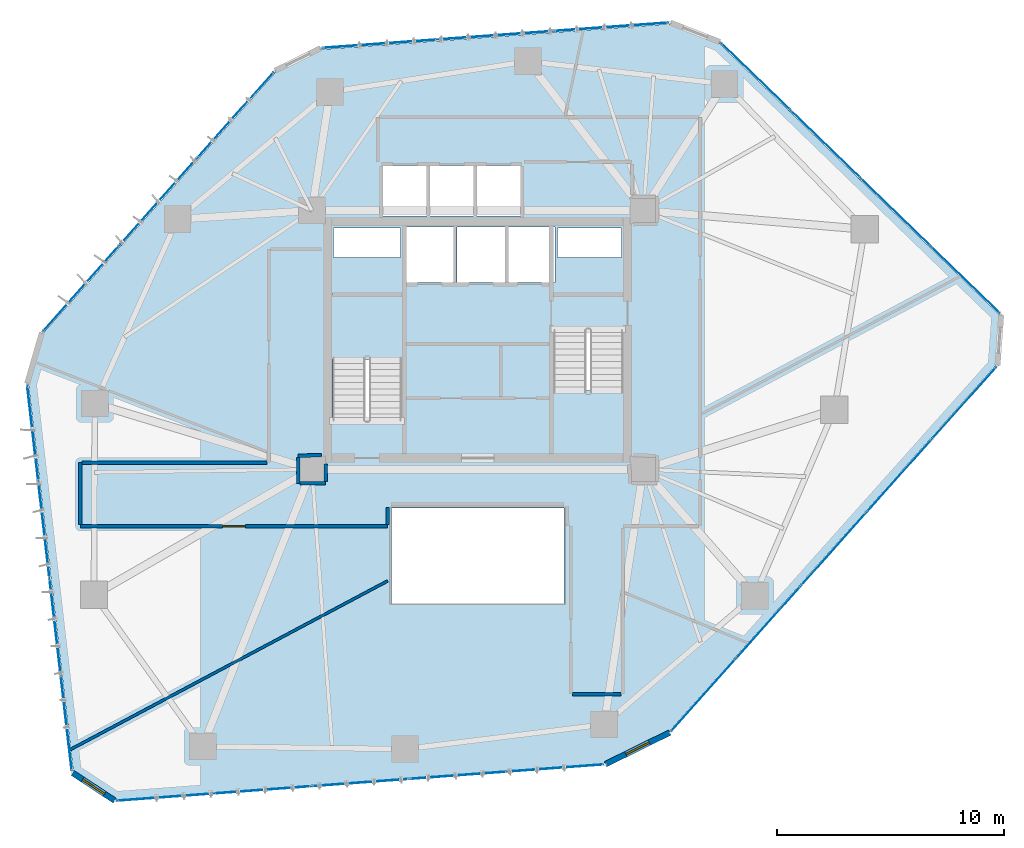
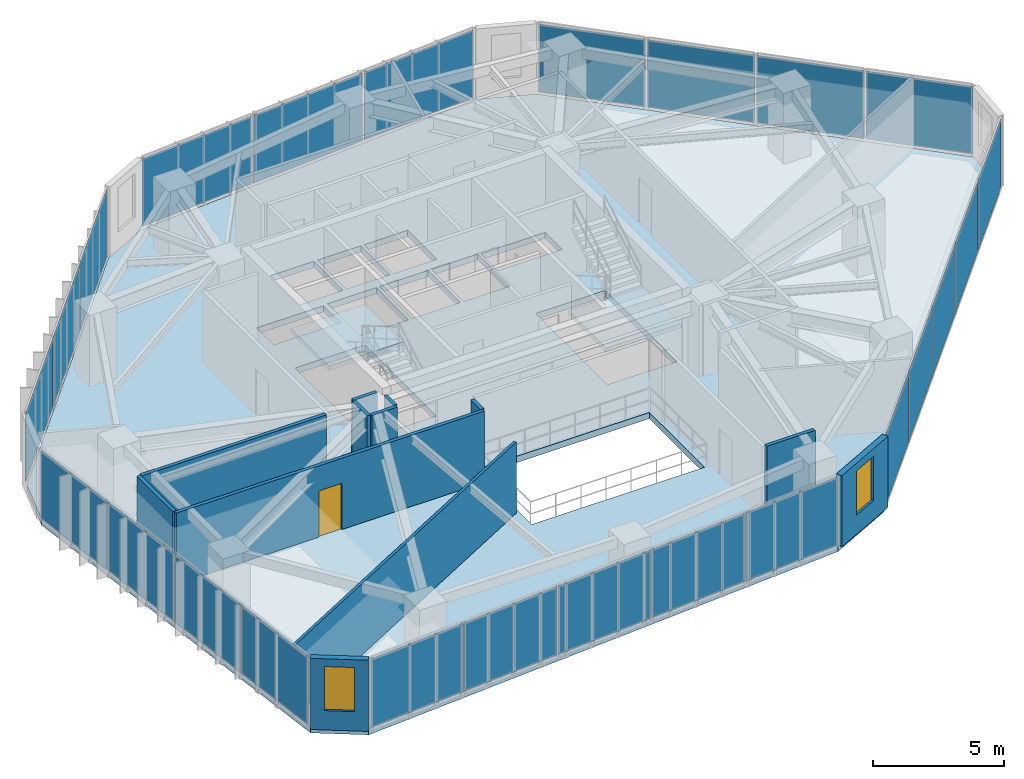
# One storey, part 17 of 23: 24 plates, 12 walls, 3 slabs, 2 windows, 1 door, 3 openings, 8 elements without a shape of their own.
"""IFC4 building model written with IfcOpenShell, lengths in metres."""

from ifc_helpers import new_model, si_unit, direction, frame, frame_2d, origin, origin_2d, place, context, subcontext, project, spatial, polyline, rectangle, outline, extrude, source, transform, mapped, material, layer, layer_set, type_object, type_shapes, element, fill, aggregate, save


model = new_model("IFC4")

# Units and contexts
model_context = context("Model", 3, precision=1e-05, world=origin(), true_north=direction((0.0, 1.0)))
body_context = subcontext(model_context, "Body", "Model", "MODEL_VIEW")
ifc_project = project(units=[si_unit("LENGTHUNIT", "METRE"), si_unit("AREAUNIT", "SQUARE_METRE"), si_unit("VOLUMEUNIT", "CUBIC_METRE"), si_unit("PLANEANGLEUNIT", "RADIAN"), si_unit("MASSUNIT", "GRAM", prefix="KILO")], contexts=[model_context])

# Site, building, storey
site_placement = place(None, origin())
site = spatial("IfcSite", under=ifc_project, at=site_placement, CompositionType="ELEMENT")
building_placement = place(site_placement, origin())
building = spatial("IfcBuilding", under=site, at=building_placement, Name="Talar Marvaseh", CompositionType="ELEMENT")
storey_placement = place(building_placement, frame((0.0, 0.0, 103.800048828125)))
storey = spatial("IfcBuildingStorey", under=building, at=storey_placement, Name="L26", CompositionType="ELEMENT", Elevation=103.800048828125)

# Stair, slab
ifc_material_1 = material(Name="Concrete C40/50", Category="concrete")
stair_type = type_object("IfcStairType", Name="Reinforced Concrete Half-Turn Exit Stair Type B", PredefinedType="HALF_TURN_STAIR", material=ifc_material_1)
stair_1_placement = place(storey_placement, origin())
stair_1 = element("IfcStair", 1, at=stair_1_placement, inside=storey, type_object=stair_type, Name="L26 Tower West Core Exit Stair", PredefinedType="HALF_TURN_STAIR")
ifc_layer_1 = layer(ifc_material_1, 0.199951171875)
ifc_layer_set_1 = layer_set([ifc_layer_1], Name="Concrete C40/50")
slab_type_1 = type_object("IfcSlabType", Name="Reinforced Concrete Stair Half-Landing Slab 200", PredefinedType="LANDING", material=ifc_layer_set_1)
slab_1_placement = place(storey_placement, frame((0.0, 0.0, 1.599853515625)))
slab_1 = element("IfcSlab", 2, at=slab_1_placement, type_object=slab_type_1, Name="ST-1 landing 1", PredefinedType="LANDING", context=body_context, shape_type="SweptSolid", body=[
    extrude(outline(polyline([(22.780029296875, 30.330078125), (22.780029296875, 33.219970703125), (19.47998046875, 33.219970703125), (19.47998046875, 30.330078125), (22.780029296875, 30.330078125)])), origin(), (0.0, 0.0, 1.0), 0.2001953125),
])
aggregate(stair_1, [slab_1])

stair_2_placement = place(storey_placement, origin())
stair_2 = element("IfcStair", 3, at=stair_2_placement, inside=storey, type_object=stair_type, Name="L26 Tower East Core Exit Stair", PredefinedType="HALF_TURN_STAIR")
slab_2_placement = place(storey_placement, frame((0.0, 0.0, 1.599853515625)))
slab_2 = element("IfcSlab", 4, at=slab_2_placement, type_object=slab_type_1, Name="ST-2 landing 1", PredefinedType="LANDING", context=body_context, shape_type="SweptSolid", body=[
    extrude(outline(polyline([(29.219970703125, 28.969970703125), (29.219970703125, 26.080078125), (32.52001953125, 26.080078125), (32.52001953125, 28.969970703125), (29.219970703125, 28.969970703125)])), origin(), (0.0, 0.0, 1.0), 0.2001953125),
])
aggregate(stair_2, [slab_2])

# Slab
ifc_layer_2 = layer(ifc_material_1, 0.2900390625)
ifc_layer_set_2 = layer_set([ifc_layer_2], Name="Concrete C40/50")
slab_type_2 = type_object("IfcSlabType", Name="Structural Suspended Floor Slab 290", PredefinedType="FLOOR", material=ifc_layer_set_2)
slab_3_placement = place(storey_placement, frame((0.0, 0.0, -0.2900390625)))
element("IfcSlab", 5, at=slab_3_placement, inside=storey, type_object=slab_type_2, Name="L26 Tower Floor Slab", PredefinedType="FLOOR", context=body_context, shape_type="SweptSolid", body=[
    extrude(outline(polyline([(10.04638671875, 10.962890625), (8.1943359375, 12.1806640625), (6.219482421875, 29.258544921875), (6.86962890625, 31.507080078125), (17.10400390625, 43.001220703125), (19.11767578125, 43.994140625), (34.466796875, 45.11669921875), (36.646484375, 44.263427734375), (48.992919921875, 32.30029296875), (48.83154296875, 30.089599609375), (34.434326171875, 13.9638671875), (31.6044921875, 12.568359375), (10.04638671875, 10.962890625)]), holes=[polyline([(22.659912109375, 27.64990234375), (22.659912109375, 33.10009765625), (19.60009765625, 33.10009765625), (19.60009765625, 27.64990234375), (22.659912109375, 27.64990234375)]), polyline([(29.340087890625, 31.64990234375), (29.340087890625, 26.199951171875), (32.39990234375, 26.199951171875), (32.39990234375, 31.64990234375), (29.340087890625, 31.64990234375)]), polyline([(22.800048828125, 33.719970703125), (24.93994140625, 33.719970703125), (24.93994140625, 36.179931640625), (22.800048828125, 36.179931640625), (22.800048828125, 33.719970703125)]), polyline([(25.080078125, 33.719970703125), (27.219970703125, 33.719970703125), (27.219970703125, 36.179931640625), (25.080078125, 36.179931640625), (25.080078125, 33.719970703125)]), polyline([(27.360107421875, 33.719970703125), (29.39990234375, 33.719970703125), (29.39990234375, 36.179931640625), (27.360107421875, 36.179931640625), (27.360107421875, 33.719970703125)]), polyline([(21.840087890625, 36.659912109375), (23.760009765625, 36.659912109375), (23.760009765625, 38.8798828125), (21.840087890625, 38.8798828125), (21.840087890625, 36.659912109375)]), polyline([(23.89990234375, 36.659912109375), (25.820068359375, 36.659912109375), (25.820068359375, 38.8798828125), (23.89990234375, 38.8798828125), (23.89990234375, 36.659912109375)]), polyline([(25.9599609375, 36.659912109375), (27.8798828125, 36.659912109375), (27.8798828125, 38.8798828125), (25.9599609375, 38.8798828125), (25.9599609375, 36.659912109375)]), polyline([(19.659912109375, 34.840087890625), (22.60009765625, 34.840087890625), (22.60009765625, 36.139892578125), (19.659912109375, 36.139892578125), (19.659912109375, 34.840087890625)]), polyline([(29.52001953125, 34.840087890625), (32.340087890625, 34.840087890625), (32.340087890625, 36.139892578125), (29.52001953125, 36.139892578125), (29.52001953125, 34.840087890625)]), polyline([(22.199951171875, 19.60009765625), (29.800048828125, 19.60009765625), (29.800048828125, 23.800048828125), (22.199951171875, 23.800048828125), (22.199951171875, 19.60009765625)])]), origin(), (0.0, 0.0, 1.0), 0.2900390625),
])

# Curtain wall, plates
ifc_material_2 = material(Name="Architectural Aluminium", Category="aluminium")
ifc_layer_3 = layer(ifc_material_2, 0.199951171875)
ifc_layer_set_3 = layer_set([ifc_layer_3], Name="Architectural Aluminium")
curtain_wall_type = type_object("IfcCurtainWallType", Name="Unitised Acoustic Library Curtain Wall Z2", PredefinedType="NOTDEFINED", material=ifc_layer_set_3)
curtain_wall_1_placement = place(storey_placement, origin())
curtain_wall_1 = element("IfcCurtainWall", 6, at=curtain_wall_1_placement, inside=storey, type_object=curtain_wall_type, Name="L26 Unitised Acoustic Library Curtain Wall Z2", PredefinedType="NOTDEFINED")
ifc_material_3 = material(Name="Laminated Low-E Solar Glass", Category="glass")
ifc_layer_4 = layer(ifc_material_3, 0.028076171875)
ifc_layer_set_4 = layer_set([ifc_layer_4], Name="Laminated Low-E Solar Glass")
plate_type = type_object("IfcPlateType", Name="Double-Glazed Low-E Vision Curtain Panel 28", PredefinedType="CURTAIN_PANEL", material=ifc_layer_set_4)
shared_shape_1 = source(origin(), body_context, "Body", "SweptSolid", [
    extrude(rectangle(XDim=4.185302734375, YDim=0.028076171875, at=origin_2d()), origin(), (0.0, 0.0, 1.0), 3.159912109375),
])
plate_1_placement = place(storey_placement, frame((7.8857421875, 14.3271484375, 0.0751953125), z_axis=(0.0, 0.0, 1.0), x_axis=(-0.114870057226, 0.99338052626, 0.0)))
plate_1 = element("IfcPlate", 7, at=plate_1_placement, type_object=plate_type, Name="CW-Z2 panel 1.1", PredefinedType="CURTAIN_PANEL", context=body_context, shape_type="MappedRepresentation", body=[
    mapped(shared_shape_1, transform((0.0, 0.0, 0.0), x_axis=(1.0, 0.0, 0.0), y_axis=(0.0, 1.0, 0.0), z_axis=(0.0, 0.0, 1.0), scale=1.0)),
])
plate_2_placement = place(storey_placement, frame((6.408935546875, 27.09814453125, 0.0751953125), z_axis=(0.0, 0.0, 1.0), x_axis=(-0.114870057226, 0.99338052626, 0.0)))
plate_2 = element("IfcPlate", 8, at=plate_2_placement, type_object=plate_type, Name="CW-Z2 panel 4.1", PredefinedType="CURTAIN_PANEL", context=body_context, shape_type="MappedRepresentation", body=[
    mapped(shared_shape_1, transform((0.0, 0.0, 0.0), x_axis=(1.0, 0.0, 0.0), y_axis=(0.0, 1.0, 0.0), z_axis=(0.0, 0.0, 1.0), scale=1.0)),
])

curtain_wall_2_placement = place(storey_placement, origin())
curtain_wall_2 = element("IfcCurtainWall", 9, at=curtain_wall_2_placement, inside=storey, type_object=curtain_wall_type, Name="L26 Unitised Acoustic Library Curtain Wall Z2", PredefinedType="NOTDEFINED")
plate_3_placement = place(storey_placement, frame((38.2451171875, 42.798095703125, 0.0751953125), z_axis=(0.0, 0.0, 1.0), x_axis=(0.718169635243, -0.695868072996, 0.0)))
plate_3 = element("IfcPlate", 10, at=plate_3_placement, type_object=plate_type, Name="CW-Z2 panel 1.1", PredefinedType="CURTAIN_PANEL", context=body_context, shape_type="MappedRepresentation", body=[
    mapped(shared_shape_1, transform((0.0, 0.0, 0.0), x_axis=(1.0, 0.0, 0.0), y_axis=(0.0, 1.0, 0.0), z_axis=(0.0, 0.0, 1.0), scale=1.0)),
])
plate_4_placement = place(storey_placement, frame((47.47802734375, 33.851806640625, 0.0751953125), z_axis=(0.0, 0.0, 1.0), x_axis=(0.718169635243, -0.695868072996, 0.0)))
plate_4 = element("IfcPlate", 11, at=plate_4_placement, type_object=plate_type, Name="CW-Z2 panel 4.1", PredefinedType="CURTAIN_PANEL", context=body_context, shape_type="MappedRepresentation", body=[
    mapped(shared_shape_1, transform((0.0, 0.0, 0.0), x_axis=(1.0, 0.0, 0.0), y_axis=(0.0, 1.0, 0.0), z_axis=(0.0, 0.0, 1.0), scale=1.0)),
])

# Plate
shared_shape_2 = source(origin(), body_context, "Body", "SweptSolid", [
    extrude(rectangle(XDim=4.222900390625, YDim=0.028076171875, at=origin_2d()), origin(), (0.0, 0.0, 1.0), 3.159912109375),
])
plate_5_placement = place(storey_placement, frame((7.394287109375, 18.577880859375, 0.0751953125), z_axis=(0.0, 0.0, 1.0), x_axis=(-0.114870057226, 0.99338052626, 0.0)))
plate_5 = element("IfcPlate", 12, at=plate_5_placement, type_object=plate_type, Name="CW-Z2 panel 2.1", PredefinedType="CURTAIN_PANEL", context=body_context, shape_type="MappedRepresentation", body=[
    mapped(shared_shape_2, transform((0.0, 0.0, 0.0), x_axis=(1.0, 0.0, 0.0), y_axis=(0.0, 1.0, 0.0), z_axis=(0.0, 0.0, 1.0), scale=1.0)),
])

plate_6_placement = place(storey_placement, frame((6.900634765625, 22.847412109375, 0.0751953125), z_axis=(0.0, 0.0, 1.0), x_axis=(-0.114870057226, 0.99338052626, 0.0)))
plate_6 = element("IfcPlate", 13, at=plate_6_placement, type_object=plate_type, Name="CW-Z2 panel 3.1", PredefinedType="CURTAIN_PANEL", context=body_context, shape_type="MappedRepresentation", body=[
    mapped(shared_shape_2, transform((0.0, 0.0, 0.0), x_axis=(1.0, 0.0, 0.0), y_axis=(0.0, 1.0, 0.0), z_axis=(0.0, 0.0, 1.0), scale=1.0)),
])

aggregate(curtain_wall_1, [plate_1, plate_5, plate_6, plate_2])

plate_7_placement = place(storey_placement, frame((41.318359375, 39.8203125, 0.0751953125), z_axis=(0.0, 0.0, 1.0), x_axis=(0.718169635243, -0.695868072996, 0.0)))
plate_7 = element("IfcPlate", 14, at=plate_7_placement, type_object=plate_type, Name="CW-Z2 panel 2.1", PredefinedType="CURTAIN_PANEL", context=body_context, shape_type="MappedRepresentation", body=[
    mapped(shared_shape_2, transform((0.0, 0.0, 0.0), x_axis=(1.0, 0.0, 0.0), y_axis=(0.0, 1.0, 0.0), z_axis=(0.0, 0.0, 1.0), scale=1.0)),
])

plate_8_placement = place(storey_placement, frame((44.40478515625, 36.82958984375, 0.0751953125), z_axis=(0.0, 0.0, 1.0), x_axis=(0.718169635243, -0.695868072996, 0.0)))
plate_8 = element("IfcPlate", 15, at=plate_8_placement, type_object=plate_type, Name="CW-Z2 panel 3.1", PredefinedType="CURTAIN_PANEL", context=body_context, shape_type="MappedRepresentation", body=[
    mapped(shared_shape_2, transform((0.0, 0.0, 0.0), x_axis=(1.0, 0.0, 0.0), y_axis=(0.0, 1.0, 0.0), z_axis=(0.0, 0.0, 1.0), scale=1.0)),
])

aggregate(curtain_wall_2, [plate_3, plate_7, plate_8, plate_4])

# Curtain wall, plates
curtain_wall_3_placement = place(storey_placement, origin())
curtain_wall_3 = element("IfcCurtainWall", 16, at=curtain_wall_3_placement, inside=storey, type_object=curtain_wall_type, Name="L26 Unitised Acoustic Library Curtain Wall Z2", PredefinedType="NOTDEFINED")
shared_shape_3 = source(origin(), body_context, "Body", "SweptSolid", [
    extrude(rectangle(XDim=5.017578125, YDim=0.028076171875, at=origin_2d()), origin(), (0.0, 0.0, 1.0), 3.159912109375),
])
plate_9_placement = place(storey_placement, frame((8.54296875, 33.476806640625, 0.0751953125), z_axis=(0.0, 0.0, 1.0), x_axis=(0.664999206745, 0.746844063395, 0.0)))
plate_9 = element("IfcPlate", 17, at=plate_9_placement, type_object=plate_type, Name="CW-Z2 panel 1.1", PredefinedType="CURTAIN_PANEL", context=body_context, shape_type="MappedRepresentation", body=[
    mapped(shared_shape_3, transform((0.0, 0.0, 0.0), x_axis=(1.0, 0.0, 0.0), y_axis=(0.0, 1.0, 0.0), z_axis=(0.0, 0.0, 1.0), scale=1.0)),
])
plate_10_placement = place(storey_placement, frame((15.341064453125, 41.111328125, 0.0751953125), z_axis=(0.0, 0.0, 1.0), x_axis=(0.664999206745, 0.746844063395, 0.0)))
plate_10 = element("IfcPlate", 18, at=plate_10_placement, type_object=plate_type, Name="CW-Z2 panel 3.1", PredefinedType="CURTAIN_PANEL", context=body_context, shape_type="MappedRepresentation", body=[
    mapped(shared_shape_3, transform((0.0, 0.0, 0.0), x_axis=(1.0, 0.0, 0.0), y_axis=(0.0, 1.0, 0.0), z_axis=(0.0, 0.0, 1.0), scale=1.0)),
])

curtain_wall_4_placement = place(storey_placement, origin())
curtain_wall_4 = element("IfcCurtainWall", 19, at=curtain_wall_4_placement, inside=storey, type_object=curtain_wall_type, Name="L26 Unitised Acoustic Library Curtain Wall Z2", PredefinedType="NOTDEFINED")
plate_11_placement = place(storey_placement, frame((21.690185546875, 44.242431640625, 0.0751953125), z_axis=(0.0, 0.0, 1.0), x_axis=(0.997337055981, 0.072930081355, 0.0)))
plate_11 = element("IfcPlate", 20, at=plate_11_placement, type_object=plate_type, Name="CW-Z2 panel 1.1", PredefinedType="CURTAIN_PANEL", context=body_context, shape_type="MappedRepresentation", body=[
    mapped(shared_shape_3, transform((0.0, 0.0, 0.0), x_axis=(1.0, 0.0, 0.0), y_axis=(0.0, 1.0, 0.0), z_axis=(0.0, 0.0, 1.0), scale=1.0)),
])
plate_12_placement = place(storey_placement, frame((31.885498046875, 44.988037109375, 0.0751953125), z_axis=(0.0, 0.0, 1.0), x_axis=(0.997337055981, 0.072930081355, 0.0)))
plate_12 = element("IfcPlate", 21, at=plate_12_placement, type_object=plate_type, Name="CW-Z2 panel 3.1", PredefinedType="CURTAIN_PANEL", context=body_context, shape_type="MappedRepresentation", body=[
    mapped(shared_shape_3, transform((0.0, 0.0, 0.0), x_axis=(1.0, 0.0, 0.0), y_axis=(0.0, 1.0, 0.0), z_axis=(0.0, 0.0, 1.0), scale=1.0)),
])

# Plate
shared_shape_4 = source(origin(), body_context, "Body", "SweptSolid", [
    extrude(rectangle(XDim=5.054931640625, YDim=0.028076171875, at=origin_2d()), origin(), (0.0, 0.0, 1.0), 3.159912109375),
])
plate_13_placement = place(storey_placement, frame((11.94189453125, 37.294189453125, 0.0751953125), z_axis=(0.0, 0.0, 1.0), x_axis=(0.664999206745, 0.746844063395, 0.0)))
plate_13 = element("IfcPlate", 22, at=plate_13_placement, type_object=plate_type, Name="CW-Z2 panel 2.1", PredefinedType="CURTAIN_PANEL", context=body_context, shape_type="MappedRepresentation", body=[
    mapped(shared_shape_4, transform((0.0, 0.0, 0.0), x_axis=(1.0, 0.0, 0.0), y_axis=(0.0, 1.0, 0.0), z_axis=(0.0, 0.0, 1.0), scale=1.0)),
])

aggregate(curtain_wall_3, [plate_9, plate_13, plate_10])

plate_14_placement = place(storey_placement, frame((26.787841796875, 44.615234375, 0.0751953125), z_axis=(0.0, 0.0, 1.0), x_axis=(0.997337055981, 0.072930081355, 0.0)))
plate_14 = element("IfcPlate", 23, at=plate_14_placement, type_object=plate_type, Name="CW-Z2 panel 2.1", PredefinedType="CURTAIN_PANEL", context=body_context, shape_type="MappedRepresentation", body=[
    mapped(shared_shape_4, transform((0.0, 0.0, 0.0), x_axis=(1.0, 0.0, 0.0), y_axis=(0.0, 1.0, 0.0), z_axis=(0.0, 0.0, 1.0), scale=1.0)),
])

aggregate(curtain_wall_4, [plate_11, plate_14, plate_12])

# Curtain wall, plates
curtain_wall_5_placement = place(storey_placement, origin())
curtain_wall_5 = element("IfcCurtainWall", 24, at=curtain_wall_5_placement, inside=storey, type_object=curtain_wall_type, Name="L26 Unitised Acoustic Library Curtain Wall Z2", PredefinedType="NOTDEFINED")
shared_shape_5 = source(origin(), body_context, "Body", "SweptSolid", [
    extrude(rectangle(XDim=4.2109375, YDim=0.028076171875, at=origin_2d()), origin(), (0.0, 0.0, 1.0), 3.159912109375),
])
plate_15_placement = place(storey_placement, frame((47.424072265625, 28.423095703125, 0.0751953125), z_axis=(0.0, 0.0, 1.0), x_axis=(-0.665999130489, -0.745952517382, 0.0)))
plate_15 = element("IfcPlate", 25, at=plate_15_placement, type_object=plate_type, Name="CW-Z2 panel 1.1", PredefinedType="CURTAIN_PANEL", context=body_context, shape_type="MappedRepresentation", body=[
    mapped(shared_shape_5, transform((0.0, 0.0, 0.0), x_axis=(1.0, 0.0, 0.0), y_axis=(0.0, 1.0, 0.0), z_axis=(0.0, 0.0, 1.0), scale=1.0)),
])
plate_16_placement = place(storey_placement, frame((35.931396484375, 15.550537109375, 0.0751953125), z_axis=(0.0, 0.0, 1.0), x_axis=(-0.665999130489, -0.745952517382, 0.0)))
plate_16 = element("IfcPlate", 26, at=plate_16_placement, type_object=plate_type, Name="CW-Z2 panel 5.1", PredefinedType="CURTAIN_PANEL", context=body_context, shape_type="MappedRepresentation", body=[
    mapped(shared_shape_5, transform((0.0, 0.0, 0.0), x_axis=(1.0, 0.0, 0.0), y_axis=(0.0, 1.0, 0.0), z_axis=(0.0, 0.0, 1.0), scale=1.0)),
])

curtain_wall_6_placement = place(storey_placement, origin())
curtain_wall_6 = element("IfcCurtainWall", 27, at=curtain_wall_6_placement, inside=storey, type_object=curtain_wall_type, Name="L26 Unitised Acoustic Library Curtain Wall Z2", PredefinedType="NOTDEFINED")
plate_17_placement = place(storey_placement, frame((29.4345703125, 12.3466796875, 0.0751953125), z_axis=(0.0, 0.0, 1.0), x_axis=(-0.997238672999, -0.07426324175, 0.0)))
plate_17 = element("IfcPlate", 28, at=plate_17_placement, type_object=plate_type, Name="CW-Z2 panel 1.1", PredefinedType="CURTAIN_PANEL", context=body_context, shape_type="MappedRepresentation", body=[
    mapped(shared_shape_5, transform((0.0, 0.0, 0.0), x_axis=(1.0, 0.0, 0.0), y_axis=(0.0, 1.0, 0.0), z_axis=(0.0, 0.0, 1.0), scale=1.0)),
])
plate_18_placement = place(storey_placement, frame((12.2255859375, 11.065185546875, 0.0751953125), z_axis=(0.0, 0.0, 1.0), x_axis=(-0.997238672999, -0.07426324175, 0.0)))
plate_18 = element("IfcPlate", 29, at=plate_18_placement, type_object=plate_type, Name="CW-Z2 panel 5.1", PredefinedType="CURTAIN_PANEL", context=body_context, shape_type="MappedRepresentation", body=[
    mapped(shared_shape_5, transform((0.0, 0.0, 0.0), x_axis=(1.0, 0.0, 0.0), y_axis=(0.0, 1.0, 0.0), z_axis=(0.0, 0.0, 1.0), scale=1.0)),
])

# Plate
shared_shape_6 = source(origin(), body_context, "Body", "SweptSolid", [
    extrude(rectangle(XDim=4.24853515625, YDim=0.028076171875, at=origin_2d()), origin(), (0.0, 0.0, 1.0), 3.159912109375),
])
type_shapes(plate_type, [shared_shape_1, shared_shape_2, shared_shape_3, shared_shape_4, shared_shape_5, shared_shape_6])
plate_19_placement = place(storey_placement, frame((44.55712890625, 25.2119140625, 0.0751953125), z_axis=(0.0, 0.0, 1.0), x_axis=(-0.665999130489, -0.745952517382, 0.0)))
plate_19 = element("IfcPlate", 30, at=plate_19_placement, type_object=plate_type, Name="CW-Z2 panel 2.1", PredefinedType="CURTAIN_PANEL", context=body_context, shape_type="MappedRepresentation", body=[
    mapped(shared_shape_6, transform((0.0, 0.0, 0.0), x_axis=(1.0, 0.0, 0.0), y_axis=(0.0, 1.0, 0.0), z_axis=(0.0, 0.0, 1.0), scale=1.0)),
])

plate_20_placement = place(storey_placement, frame((41.677734375, 21.98681640625, 0.0751953125), z_axis=(0.0, 0.0, 1.0), x_axis=(-0.665999130489, -0.745952517382, 0.0)))
plate_20 = element("IfcPlate", 31, at=plate_20_placement, type_object=plate_type, Name="CW-Z2 panel 3.1", PredefinedType="CURTAIN_PANEL", context=body_context, shape_type="MappedRepresentation", body=[
    mapped(shared_shape_6, transform((0.0, 0.0, 0.0), x_axis=(1.0, 0.0, 0.0), y_axis=(0.0, 1.0, 0.0), z_axis=(0.0, 0.0, 1.0), scale=1.0)),
])

plate_21_placement = place(storey_placement, frame((38.79833984375, 18.76171875, 0.0751953125), z_axis=(0.0, 0.0, 1.0), x_axis=(-0.665999130489, -0.745952517382, 0.0)))
plate_21 = element("IfcPlate", 32, at=plate_21_placement, type_object=plate_type, Name="CW-Z2 panel 4.1", PredefinedType="CURTAIN_PANEL", context=body_context, shape_type="MappedRepresentation", body=[
    mapped(shared_shape_6, transform((0.0, 0.0, 0.0), x_axis=(1.0, 0.0, 0.0), y_axis=(0.0, 1.0, 0.0), z_axis=(0.0, 0.0, 1.0), scale=1.0)),
])

aggregate(curtain_wall_5, [plate_15, plate_19, plate_20, plate_21, plate_16])

plate_22_placement = place(storey_placement, frame((25.1416015625, 12.027099609375, 0.0751953125), z_axis=(0.0, 0.0, 1.0), x_axis=(-0.997238672999, -0.07426324175, 0.0)))
plate_22 = element("IfcPlate", 33, at=plate_22_placement, type_object=plate_type, Name="CW-Z2 panel 2.1", PredefinedType="CURTAIN_PANEL", context=body_context, shape_type="MappedRepresentation", body=[
    mapped(shared_shape_6, transform((0.0, 0.0, 0.0), x_axis=(1.0, 0.0, 0.0), y_axis=(0.0, 1.0, 0.0), z_axis=(0.0, 0.0, 1.0), scale=1.0)),
])

plate_23_placement = place(storey_placement, frame((20.830078125, 11.705810546875, 0.0751953125), z_axis=(0.0, 0.0, 1.0), x_axis=(-0.997238672999, -0.07426324175, 0.0)))
plate_23 = element("IfcPlate", 34, at=plate_23_placement, type_object=plate_type, Name="CW-Z2 panel 3.1", PredefinedType="CURTAIN_PANEL", context=body_context, shape_type="MappedRepresentation", body=[
    mapped(shared_shape_6, transform((0.0, 0.0, 0.0), x_axis=(1.0, 0.0, 0.0), y_axis=(0.0, 1.0, 0.0), z_axis=(0.0, 0.0, 1.0), scale=1.0)),
])

plate_24_placement = place(storey_placement, frame((16.518310546875, 11.384765625, 0.0751953125), z_axis=(0.0, 0.0, 1.0), x_axis=(-0.997238672999, -0.07426324175, 0.0)))
plate_24 = element("IfcPlate", 35, at=plate_24_placement, type_object=plate_type, Name="CW-Z2 panel 4.1", PredefinedType="CURTAIN_PANEL", context=body_context, shape_type="MappedRepresentation", body=[
    mapped(shared_shape_6, transform((0.0, 0.0, 0.0), x_axis=(1.0, 0.0, 0.0), y_axis=(0.0, 1.0, 0.0), z_axis=(0.0, 0.0, 1.0), scale=1.0)),
])

aggregate(curtain_wall_6, [plate_17, plate_22, plate_23, plate_24, plate_18])

# Wall, opening, window
ifc_material_4 = material(Name="Precast concrete C45/55", Category="concrete")
ifc_layer_5 = layer(ifc_material_4, 0.2548828125)
ifc_layer_set_5 = layer_set([ifc_layer_5], Name="Precast concrete C45/55")
wall_type_1 = type_object("IfcWallType", Name="Chamfered Hexagonal Corner Pier Wall Z2 255", PredefinedType="SOLIDWALL", material=ifc_layer_set_5)
wall_1_placement = place(storey_placement, frame((10.013427734375, 10.912841796875, 0.0), z_axis=(0.0, 0.0, 1.0), x_axis=(-0.835558129449, 0.549402049788, 0.0)))
wall_1 = element("IfcWall", 36, at=wall_1_placement, inside=storey, type_object=wall_type_1, Name="L26 Chamfered Corner Limestone Pier 1", PredefinedType="SOLIDWALL", context=body_context, shape_type="SweptSolid", body=[
    extrude(rectangle(XDim=2.216552734375, YDim=0.2548828125, at=frame_2d((1.1083984375, 0.0))), origin(), (0.0, 0.0, 1.0), 3.31005859375),
])
opening_1_placement = place(wall_1_placement, frame((0.532958984375, 0.0, 0.89990234375)))
opening_1 = element("IfcOpeningElement", 37, at=opening_1_placement, cuts=wall_1, Name="Opening WN-CHM11", PredefinedType="OPENING", context=body_context, shape_type="SweptSolid", body=[
    extrude(rectangle(XDim=1.14990234375, YDim=2.050048828125, at=frame_2d((0.574951171875, 1.02490234375))), frame((0.0, 0.137451171875, 0.0), z_axis=(0.0, -1.0, 0.0), x_axis=(1.0, 0.0, 0.0)), (0.0, 0.0, 1.0), 0.27490234375),
])
window_type = type_object("IfcWindowType", Name="Zone 2 Chamfered Corner Slot Window 1150x2050", PartitioningType="SINGLE_PANEL", PredefinedType="WINDOW", material=ifc_material_3)
shared_shape_7 = source(origin(), body_context, "Body", "SweptSolid", [
    extrude(rectangle(XDim=1.14990234375, YDim=2.050048828125, at=frame_2d((0.574951171875, 1.02490234375))), frame((0.0, 0.030029296875, 0.0), z_axis=(0.0, -1.0, 0.0), x_axis=(1.0, 0.0, 0.0)), (0.0, 0.0, 1.0), 0.06005859375),
])
type_shapes(window_type, [shared_shape_7])
window_1_placement = place(opening_1_placement, origin())
window_1 = element("IfcWindow", 38, at=window_1_placement, inside=storey, type_object=window_type, Name="L26 Chamfered Corner Slot Window", OverallHeight=2.050048828125, OverallWidth=1.14990234375, PartitioningType="SINGLE_PANEL", PredefinedType="WINDOW", context=body_context, shape_type="MappedRepresentation", body=[
    mapped(shared_shape_7, transform((0.0, 0.0, 0.0), x_axis=(1.0, 0.0, 0.0), y_axis=(0.0, 1.0, 0.0), z_axis=(0.0, 0.0, 1.0), scale=1.0)),
])
fill(opening_1, window_1)

wall_2_placement = place(storey_placement, frame((34.460693359375, 13.91015625, 0.0), z_axis=(0.0, 0.0, 1.0), x_axis=(-0.896859096493, -0.442316358546, 0.0)))
wall_2 = element("IfcWall", 39, at=wall_2_placement, inside=storey, type_object=wall_type_1, Name="L26 Chamfered Corner Limestone Pier 6", PredefinedType="SOLIDWALL", context=body_context, shape_type="SweptSolid", body=[
    extrude(rectangle(XDim=3.155029296875, YDim=0.2548828125, at=frame_2d((1.57763671875, 0.0))), origin(), (0.0, 0.0, 1.0), 3.31005859375),
])
opening_2_placement = place(wall_2_placement, frame((1.0029296875, 0.0, 0.89990234375)))
opening_2 = element("IfcOpeningElement", 40, at=opening_2_placement, cuts=wall_2, Name="Opening WN-CHM11", PredefinedType="OPENING", context=body_context, shape_type="SweptSolid", body=[
    extrude(rectangle(XDim=1.14990234375, YDim=2.050048828125, at=frame_2d((0.574951171875, 1.02490234375))), frame((0.0, 0.137451171875, 0.0), z_axis=(0.0, -1.0, 0.0), x_axis=(1.0, 0.0, 0.0)), (0.0, 0.0, 1.0), 0.27490234375),
])
window_2_placement = place(opening_2_placement, origin())
window_2 = element("IfcWindow", 41, at=window_2_placement, inside=storey, type_object=window_type, Name="L26 Chamfered Corner Slot Window", OverallHeight=2.050048828125, OverallWidth=1.14990234375, PartitioningType="SINGLE_PANEL", PredefinedType="WINDOW", context=body_context, shape_type="MappedRepresentation", body=[
    mapped(shared_shape_7, transform((0.0, 0.0, 0.0), x_axis=(1.0, 0.0, 0.0), y_axis=(0.0, 1.0, 0.0), z_axis=(0.0, 0.0, 1.0), scale=1.0)),
])
fill(opening_2, window_2)

# Wall, opening, door
ifc_material_5 = material(Name="Gypsum Board Partition Assembly")
ifc_layer_6 = layer(ifc_material_5, 0.155029296875)
ifc_layer_set_6 = layer_set([ifc_layer_6], Name="Gypsum Board Partition Assembly")
wall_type_2 = type_object("IfcWallType", Name="Corridor Fire-Rated Acoustic Partition 155", PredefinedType="PARTITIONING", material=ifc_layer_set_6)
wall_3_placement = place(storey_placement, frame((22.0400390625, 23.0, 0.0), z_axis=(0.0, 0.0, 1.0), x_axis=(-1.0, 0.0, 0.0)))
wall_3 = element("IfcWall", 42, at=wall_3_placement, inside=storey, type_object=wall_type_2, Name="L26 Interior Partition Wall", PredefinedType="PARTITIONING", context=body_context, shape_type="SweptSolid", body=[
    extrude(rectangle(XDim=13.5400390625, YDim=0.155029296875, at=frame_2d((6.77001953125, 0.0))), origin(), (0.0, 0.0, 1.0), 3.31005859375),
])
opening_3_placement = place(wall_3_placement, frame((6.27001953125, 0.0, 0.0)))
opening_3 = element("IfcOpeningElement", 43, at=opening_3_placement, cuts=wall_3, Name="Opening DR-RM100", PredefinedType="OPENING", context=body_context, shape_type="SweptSolid", body=[
    extrude(rectangle(XDim=1.0, YDim=2.14990234375, at=frame_2d((0.5, 1.074951171875))), frame((0.0, 0.08740234375, 0.0), z_axis=(0.0, -1.0, 0.0), x_axis=(1.0, 0.0, 0.0)), (0.0, 0.0, 1.0), 0.175048828125),
])
ifc_material_6 = material(Name="Acoustic Engineered Oak Timber", Category="wood")
door_type = type_object("IfcDoorType", Name="Corridor Fire-Rated Gallery Door 1000x2150", OperationType="NOTDEFINED", PredefinedType="DOOR", material=ifc_material_6)
shared_shape_8 = source(origin(), body_context, "Body", "SweptSolid", [
    extrude(rectangle(XDim=1.0, YDim=2.14990234375, at=frame_2d((0.5, 1.074951171875))), frame((0.0, 0.02490234375, 0.0), z_axis=(0.0, -1.0, 0.0), x_axis=(1.0, 0.0, 0.0)), (0.0, 0.0, 1.0), 0.050048828125),
])
type_shapes(door_type, [shared_shape_8])
door_placement = place(opening_3_placement, origin())
door = element("IfcDoor", 44, at=door_placement, inside=storey, type_object=door_type, Name="L26 Curatorial Office Door", OperationType="SINGLE_SWING_LEFT", OverallHeight=2.14990234375, OverallWidth=1.0, PredefinedType="DOOR", context=body_context, shape_type="MappedRepresentation", body=[
    mapped(shared_shape_8, transform((0.0, 0.0, 0.0), x_axis=(1.0, 0.0, 0.0), y_axis=(0.0, 1.0, 0.0), z_axis=(0.0, 0.0, 1.0), scale=1.0)),
])
fill(opening_3, door)

# Walls
wall_4_placement = place(storey_placement, frame((22.043212890625, 23.831298828125, 0.0), z_axis=(0.0, 0.0, 1.0), x_axis=(-0.003917697652, -0.999992325793, 0.0)))
element("IfcWall", 45, at=wall_4_placement, inside=storey, type_object=wall_type_2, Name="L26 Interior Partition Wall", PredefinedType="PARTITIONING", context=body_context, shape_type="SweptSolid", body=[
    extrude(rectangle(XDim=0.747802734375, YDim=0.155029296875, at=frame_2d((0.3740234375, 0.0))), origin(), (0.0, 0.0, 1.0), 3.31005859375),
])
wall_5_placement = place(storey_placement, frame((8.5, 23.08349609375, 0.0), z_axis=(0.0, 0.0, 1.0), x_axis=(0.0, 1.0, 0.0)))
element("IfcWall", 46, at=wall_5_placement, inside=storey, type_object=wall_type_2, Name="L26 Interior Partition Wall", PredefinedType="PARTITIONING", context=body_context, shape_type="SweptSolid", body=[
    extrude(rectangle(XDim=2.716552734375, YDim=0.155029296875, at=frame_2d((1.3583984375, 0.0))), origin(), (0.0, 0.0, 1.0), 3.31005859375),
])
wall_6_placement = place(storey_placement, frame((8.58349609375, 25.800048828125, 0.0), z_axis=(0.0, 0.0, 1.0), x_axis=(1.0, 0.0, 0.0)))
element("IfcWall", 47, at=wall_6_placement, inside=storey, type_object=wall_type_2, Name="L26 Interior Partition Wall", PredefinedType="PARTITIONING", context=body_context, shape_type="SweptSolid", body=[
    extrude(rectangle(XDim=8.133056640625, YDim=0.155029296875, at=frame_2d((4.06640625, 0.0))), origin(), (0.0, 0.0, 1.0), 3.31005859375),
])
wall_7_placement = place(storey_placement, frame((19.1298828125, 26.114990234375, 0.0), z_axis=(0.0, 0.0, 1.0), x_axis=(-0.999986702653, -0.005156987215, 0.0)))
element("IfcWall", 48, at=wall_7_placement, inside=storey, type_object=wall_type_2, Name="L26 Interior Partition Wall", PredefinedType="PARTITIONING", context=body_context, shape_type="SweptSolid", body=[
    extrude(rectangle(XDim=1.04150390625, YDim=0.155029296875, at=frame_2d((0.520751953125, 0.0))), origin(), (0.0, 0.0, 1.0), 3.31005859375),
])
wall_8_placement = place(storey_placement, frame((18.088623046875, 26.02587890625, 0.0), z_axis=(0.0, 0.0, 1.0), x_axis=(0.002787893948, -0.999996113816, 0.0)))
element("IfcWall", 49, at=wall_8_placement, inside=storey, type_object=wall_type_2, Name="L26 Interior Partition Wall", PredefinedType="PARTITIONING", context=body_context, shape_type="SweptSolid", body=[
    extrude(rectangle(XDim=1.138427734375, YDim=0.155029296875, at=frame_2d((0.5693359375, 0.0))), origin(), (0.0, 0.0, 1.0), 3.31005859375),
])
wall_9_placement = place(storey_placement, frame((18.17529296875, 24.8876953125, 0.0), z_axis=(0.0, 0.0, 1.0), x_axis=(0.999999791525, 0.000645716611, 0.0)))
element("IfcWall", 50, at=wall_9_placement, inside=storey, type_object=wall_type_2, Name="L26 Interior Partition Wall", PredefinedType="PARTITIONING", context=body_context, shape_type="SweptSolid", body=[
    extrude(rectangle(XDim=1.13427734375, YDim=0.155029296875, at=frame_2d((0.567138671875, 0.0))), origin(), (0.0, 0.0, 1.0), 3.31005859375),
])
wall_10_placement = place(storey_placement, frame((19.31005859375, 24.971923828125, 0.0), z_axis=(0.0, 0.0, 1.0), x_axis=(0.006441090216, 0.999979255963, 0.0)))
element("IfcWall", 51, at=wall_10_placement, inside=storey, type_object=wall_type_2, Name="L26 Interior Partition Wall", PredefinedType="PARTITIONING", context=body_context, shape_type="SweptSolid", body=[
    extrude(rectangle(XDim=0.758056640625, YDim=0.155029296875, at=frame_2d((0.37890625, 0.0))), origin(), (0.0, 0.0, 1.0), 3.31005859375),
])
wall_11_placement = place(storey_placement, frame((32.31640625, 15.60009765625, 0.0), z_axis=(0.0, 0.0, 1.0), x_axis=(-1.0, 0.0, 0.0)))
element("IfcWall", 52, at=wall_11_placement, inside=storey, type_object=wall_type_2, Name="L26 Interior Partition Wall", PredefinedType="PARTITIONING", context=body_context, shape_type="SweptSolid", body=[
    extrude(rectangle(XDim=2.1328125, YDim=0.155029296875, at=frame_2d((1.06640625, 0.0))), origin(), (0.0, 0.0, 1.0), 3.31005859375),
])
ifc_layer_7 = layer(ifc_material_5, 0.1201171875)
ifc_layer_set_7 = layer_set([ifc_layer_7], Name="Gypsum Board Partition Assembly")
wall_type_3 = type_object("IfcWallType", Name="Demountable Studio Room Partition 120", PredefinedType="PARTITIONING", material=ifc_layer_set_7)
wall_12_placement = place(storey_placement, frame((22.0400390625, 20.590087890625, 0.0), z_axis=(0.0, 0.0, 1.0), x_axis=(-0.883038121207, -0.46930126411, 0.0)))
element("IfcWall", 53, at=wall_12_placement, inside=storey, type_object=wall_type_3, Name="L26 Interior Partition Wall", PredefinedType="PARTITIONING", context=body_context, shape_type="SweptSolid", body=[
    extrude(rectangle(XDim=15.8486328125, YDim=0.1201171875, at=frame_2d((7.92431640625, 0.0))), origin(), (0.0, 0.0, 1.0), 3.31005859375),
])

save(model, "model.ifc")
